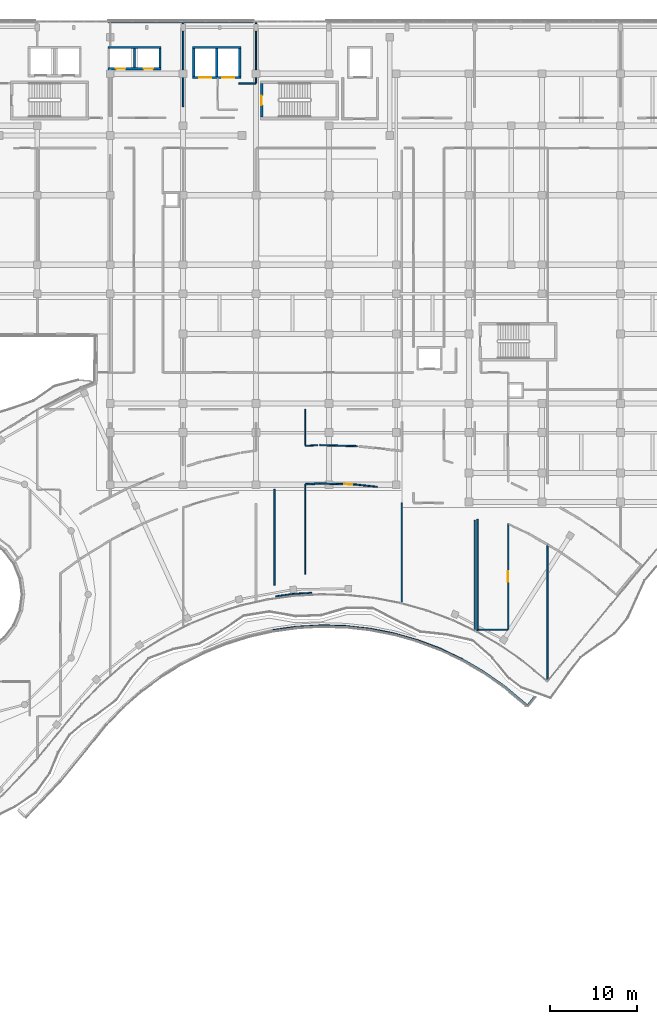
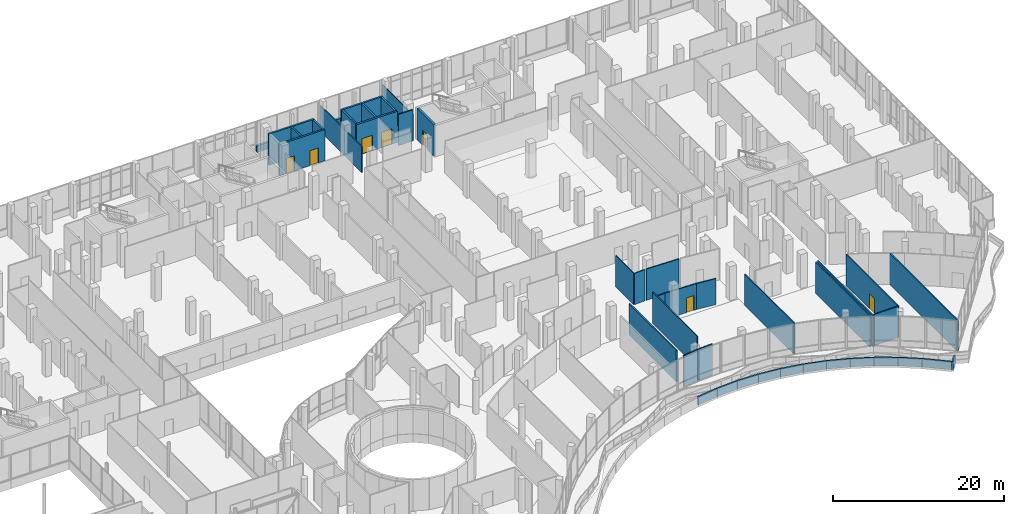
# One storey, part 149 of 168: 43 walls, 7 doors, 7 openings.
"""IFC4 building model written with IfcOpenShell, lengths in metres."""

from ifc_helpers import new_model, si_unit, direction, frame, frame_2d, origin, place, context, subcontext, project, spatial, rectangle, extrude, material, layer, layer_set, type_object, element, fill, save


model = new_model("IFC4")

# Units and contexts
model_context = context("Model", 3, precision=1e-05, world=origin(), true_north=direction((0.0, 1.0)))
body_context = subcontext(model_context, "Body", "Model", "MODEL_VIEW")
ifc_project = project(units=[si_unit("LENGTHUNIT", "METRE"), si_unit("AREAUNIT", "SQUARE_METRE"), si_unit("VOLUMEUNIT", "CUBIC_METRE"), si_unit("PLANEANGLEUNIT", "RADIAN"), si_unit("MASSUNIT", "GRAM", prefix="KILO")], contexts=[model_context])

# Site, building, storey
site_placement = place(None, origin())
site = spatial("IfcSite", under=ifc_project, at=site_placement, CompositionType="ELEMENT")
building_placement = place(site_placement, origin())
building = spatial("IfcBuilding", under=site, at=building_placement, Name="Selatvlak General Hospital", CompositionType="ELEMENT")
storey_placement = place(building_placement, frame((0.0, 0.0, 5.39990234375)))
storey = spatial("IfcBuildingStorey", under=building, at=storey_placement, Name="L01", CompositionType="ELEMENT", Elevation=5.39990234375)

# Walls
ifc_material_1 = material(Name="Precast concrete C40/50 - white Bauhaus spandrel", Category="concrete")
ifc_layer_1 = layer(ifc_material_1, 0.280029296875, Name="Precast concrete C40/50 - white Bauhaus spandrel", Category="concrete")
ifc_layer_set_1 = layer_set([ifc_layer_1], Name="Precast concrete C40/50 - white Bauhaus spandrel")
wall_type_1 = type_object("IfcWallType", Name="WALL-EW-02", PredefinedType="SOLIDWALL", material=ifc_layer_set_1)
for number, where, z_axis, x_axis, name in (
    (1, (114.9609375, 120.0, 0.0), (0.0, 0.0, 1.0), (1.0, 0.0, 0.0), "L01 Bauhaus spandrel sill wall 0215"),
    (2, (123.341064453125, 120.0, 0.0), (0.0, 0.0, 1.0), (1.0, 0.0, 0.0), "L01 Bauhaus spandrel sill wall 0216"),
):
    element("IfcWall", number, at=place(storey_placement, frame(where, z_axis=z_axis, x_axis=x_axis)), inside=storey, type_object=wall_type_1, Name=name, PredefinedType="SOLIDWALL", context=body_context, shape_type="SweptSolid", body=[
        extrude(rectangle(XDim=8.3759765625, YDim=0.280029296875, at=frame_2d((4.18798828125, 0.0))), origin(), (0.0, 0.0, 1.0), 0.940185546875),
    ])
ifc_material_2 = material(Name="Precast concrete C40/50 - white fair-faced", Category="concrete")
ifc_layer_2 = layer(ifc_material_2, 0.199951171875, Name="Precast concrete C40/50 - white fair-faced", Category="concrete")
ifc_layer_set_2 = layer_set([ifc_layer_2], Name="Precast concrete C40/50 - white fair-faced")
wall_type_2 = type_object("IfcWallType", Name="WALL-PR-01", PredefinedType="PARAPET", material=ifc_layer_set_2)
wall_1_placement = place(storey_placement, frame((160.51708984375, 43.487060546875, -0.079833984375), z_axis=(0.0, 0.0, 1.0), x_axis=(-0.820802595538, 0.571211956421, 0.0)))
element("IfcWall", 3, at=wall_1_placement, inside=storey, type_object=wall_type_2, Name="L01 roof parapet upstand PAR-L01-005", PredefinedType="PARAPET", context=body_context, shape_type="SweptSolid", body=[
    extrude(rectangle(XDim=2.813232421875, YDim=0.199951171875, at=frame_2d((1.40673828125, 0.0))), origin(), (0.0, 0.0, 1.0), 1.14990234375),
])
wall_2_placement = place(storey_placement, frame((155.77294921875, 46.507080078125, -0.079833984375), z_axis=(0.0, 0.0, 1.0), x_axis=(-0.903700736415, 0.428164663422, 0.0)))
element("IfcWall", 4, at=wall_2_placement, inside=storey, type_object=wall_type_2, Name="L01 roof parapet upstand PAR-L01-007", PredefinedType="PARAPET", context=body_context, shape_type="SweptSolid", body=[
    extrude(rectangle(XDim=2.81396484375, YDim=0.199951171875, at=frame_2d((1.406982421875, 0.0))), origin(), (0.0, 0.0, 1.0), 1.14990234375),
])
wall_3_placement = place(storey_placement, frame((150.597900390625, 48.700927734375, -0.079833984375), z_axis=(0.0, 0.0, 1.0), x_axis=(-0.961968291007, 0.273161137603, 0.0)))
element("IfcWall", 5, at=wall_3_placement, inside=storey, type_object=wall_type_2, Name="L01 roof parapet upstand PAR-L01-009", PredefinedType="PARAPET", context=body_context, shape_type="SweptSolid", body=[
    extrude(rectangle(XDim=2.811767578125, YDim=0.199951171875, at=frame_2d((1.40576171875, 0.0))), origin(), (0.0, 0.0, 1.0), 1.14990234375),
])
wall_4_placement = place(storey_placement, frame((145.131103515625, 50.009033203125, -0.079833984375), z_axis=(0.0, 0.0, 1.0), x_axis=(-0.993916475876, 0.110136456187, 0.0)))
element("IfcWall", 6, at=wall_4_placement, inside=storey, type_object=wall_type_2, Name="L01 roof parapet upstand PAR-L01-011", PredefinedType="PARAPET", context=body_context, shape_type="SweptSolid", body=[
    extrude(rectangle(XDim=2.815185546875, YDim=0.199951171875, at=frame_2d((1.40771484375, 0.0))), origin(), (0.0, 0.0, 1.0), 1.14990234375),
])
wall_5_placement = place(storey_placement, frame((139.52001953125, 50.39697265625, -0.079833984375), z_axis=(0.0, 0.0, 1.0), x_axis=(-0.998457946489, -0.055513323571, 0.0)))
element("IfcWall", 7, at=wall_5_placement, inside=storey, type_object=wall_type_2, Name="L01 roof parapet upstand PAR-L01-013", PredefinedType="PARAPET", context=body_context, shape_type="SweptSolid", body=[
    extrude(rectangle(XDim=2.810302734375, YDim=0.199951171875, at=frame_2d((1.4052734375, 0.0))), origin(), (0.0, 0.0, 1.0), 1.14990234375),
])
wall_6_placement = place(storey_placement, frame((164.1240234375, 42.22509765625, -0.079833984375), z_axis=(0.0, 0.0, 1.0), x_axis=(-0.637753411451, -0.770240602788, 0.0)))
element("IfcWall", 8, at=wall_6_placement, inside=storey, type_object=wall_type_2, Name="L01 roof parapet upstand PAR-L01-027", PredefinedType="PARAPET", context=body_context, shape_type="SweptSolid", body=[
    extrude(rectangle(XDim=1.34521484375, YDim=0.199951171875, at=frame_2d((0.672607421875, 0.0))), origin(), (0.0, 0.0, 1.0), 1.14990234375),
])
ifc_layer_3 = layer(ifc_material_2, 0.219970703125, Name="Precast concrete C40/50 - white fair-faced", Category="concrete")
ifc_layer_set_3 = layer_set([ifc_layer_3], Name="Precast concrete C40/50 - white fair-faced")
wall_type_3 = type_object("IfcWallType", Name="WALL-PR-02", PredefinedType="PARAPET", material=ifc_layer_set_3)
wall_7_placement = place(storey_placement, frame((158.2080078125, 45.093994140625, -0.079833984375), z_axis=(0.0, 0.0, 1.0), x_axis=(-0.864915249361, 0.501917932956, 0.0)))
element("IfcWall", 9, at=wall_7_placement, inside=storey, type_object=wall_type_3, Name="L01 roof parapet upstand PAR-L01-006", PredefinedType="PARAPET", context=body_context, shape_type="SweptSolid", body=[
    extrude(rectangle(XDim=2.8154296875, YDim=0.219970703125, at=frame_2d((1.40771484375, 0.0))), origin(), (0.0, 0.0, 1.0), 1.14990234375),
])
wall_8_placement = place(storey_placement, frame((153.22998046875, 47.7119140625, -0.079833984375), z_axis=(0.0, 0.0, 1.0), x_axis=(-0.936097034399, 0.35174186869, 0.0)))
element("IfcWall", 10, at=wall_8_placement, inside=storey, type_object=wall_type_3, Name="L01 roof parapet upstand PAR-L01-008", PredefinedType="PARAPET", context=body_context, shape_type="SweptSolid", body=[
    extrude(rectangle(XDim=2.811767578125, YDim=0.219970703125, at=frame_2d((1.40576171875, 0.0))), origin(), (0.0, 0.0, 1.0), 1.14990234375),
])
wall_9_placement = place(storey_placement, frame((147.89306640625, 49.468994140625, -0.079833984375), z_axis=(0.0, 0.0, 1.0), x_axis=(-0.981415747177, 0.191893541302, 0.0)))
element("IfcWall", 11, at=wall_9_placement, inside=storey, type_object=wall_type_3, Name="L01 roof parapet upstand PAR-L01-010", PredefinedType="PARAPET", context=body_context, shape_type="SweptSolid", body=[
    extrude(rectangle(XDim=2.814208984375, YDim=0.219970703125, at=frame_2d((1.4072265625, 0.0))), origin(), (0.0, 0.0, 1.0), 1.14990234375),
])
wall_10_placement = place(storey_placement, frame((142.3330078125, 50.319091796875, -0.079833984375), z_axis=(0.0, 0.0, 1.0), x_axis=(-0.999616958311, 0.027675560641, 0.0)))
element("IfcWall", 12, at=wall_10_placement, inside=storey, type_object=wall_type_3, Name="L01 roof parapet upstand PAR-L01-012", PredefinedType="PARAPET", context=body_context, shape_type="SweptSolid", body=[
    extrude(rectangle(XDim=2.81396484375, YDim=0.219970703125, at=frame_2d((1.406982421875, 0.0))), origin(), (0.0, 0.0, 1.0), 1.14990234375),
])
wall_11_placement = place(storey_placement, frame((136.714111328125, 50.240966796875, -0.079833984375), z_axis=(0.0, 0.0, 1.0), x_axis=(-0.990363168636, -0.138494744336, 0.0)))
element("IfcWall", 13, at=wall_11_placement, inside=storey, type_object=wall_type_3, Name="L01 roof parapet upstand PAR-L01-014", PredefinedType="PARAPET", context=body_context, shape_type="SweptSolid", body=[
    extrude(rectangle(XDim=2.815185546875, YDim=0.219970703125, at=frame_2d((1.40771484375, 0.0))), origin(), (0.0, 0.0, 1.0), 1.14990234375),
])
wall_12_placement = place(storey_placement, frame((163.18310546875, 41.258056640625, -0.079833984375), z_axis=(0.0, 0.0, 1.0), x_axis=(-0.76718372461, 0.641427418103, 0.0)))
element("IfcWall", 14, at=wall_12_placement, inside=storey, type_object=wall_type_3, Name="L01 roof parapet upstand PAR-L01-028", PredefinedType="PARAPET", context=body_context, shape_type="SweptSolid", body=[
    extrude(rectangle(XDim=3.47509765625, YDim=0.219970703125, at=frame_2d((1.737548828125, 0.0))), origin(), (0.0, 0.0, 1.0), 1.14990234375),
])
ifc_material_3 = material(Name="Acoustic gypsum stud partition")
ifc_layer_4 = layer(ifc_material_3, 0.179931640625, Name="Acoustic gypsum stud partition")
ifc_layer_set_4 = layer_set([ifc_layer_4], Name="Acoustic gypsum stud partition")
wall_type_4 = type_object("IfcWallType", Name="WALL-PT-01", PredefinedType="PARTITIONING", material=ifc_layer_set_4)
wall_13_placement = place(storey_placement, frame((137.659912109375, 66.693115234375, 0.0), z_axis=(0.0, 0.0, 1.0), x_axis=(0.998484643385, 0.055031054181, 0.0)))
element("IfcWall", 15, at=wall_13_placement, inside=storey, type_object=wall_type_4, Name="L01 clinical partition PT-L01-0875", PredefinedType="PARTITIONING", context=body_context, shape_type="SweptSolid", body=[
    extrude(rectangle(XDim=1.632568359375, YDim=0.179931640625, at=frame_2d((0.81640625, 0.0))), origin(), (0.0, 0.0, 1.0), 3.695068359375),
])
wall_14_placement = place(storey_placement, frame((131.944091796875, 112.89990234375, 0.0), z_axis=(0.0, 0.0, 1.0), x_axis=(-1.0, 0.0, 0.0)))
element("IfcWall", 16, at=wall_14_placement, inside=storey, type_object=wall_type_4, Name="L01 clinical partition PT-L01-1020", PredefinedType="PARTITIONING", context=body_context, shape_type="SweptSolid", body=[
    extrude(rectangle(XDim=1.93408203125, YDim=0.179931640625, at=frame_2d((0.967041015625, 0.0))), origin(), (0.0, 0.0, 1.0), 4.445068359375),
])
ifc_layer_5 = layer(ifc_material_3, 0.1650390625, Name="Acoustic gypsum stud partition")
ifc_layer_set_5 = layer_set([ifc_layer_5], Name="Acoustic gypsum stud partition")
wall_type_5 = type_object("IfcWallType", Name="WALL-PT-02", PredefinedType="PARTITIONING", material=ifc_layer_set_5)
wall_15_placement = place(storey_placement, frame((134.139892578125, 66.10888671875, 0.0), z_axis=(0.0, 0.0, 1.0), x_axis=(0.0, -1.0, 0.0)))
element("IfcWall", 17, at=wall_15_placement, inside=storey, type_object=wall_type_5, Name="L01 clinical partition PT-L01-0871", PredefinedType="PARTITIONING", context=body_context, shape_type="SweptSolid", body=[
    extrude(rectangle(XDim=11.0458984375, YDim=0.1650390625, at=frame_2d((5.52294921875, 0.0))), origin(), (0.0, 0.0, 1.0), 4.445068359375),
])

# Wall, opening, door
wall_16_placement = place(storey_placement, frame((139.2900390625, 66.782958984375, 0.0), z_axis=(0.0, 0.0, 1.0), x_axis=(0.999620528825, -0.027546294704, 0.0)))
wall_16 = element("IfcWall", 18, at=wall_16_placement, inside=storey, type_object=wall_type_5, Name="L01 clinical partition PT-L01-0876", PredefinedType="PARTITIONING", context=body_context, shape_type="SweptSolid", body=[
    extrude(rectangle(XDim=4.17431640625, YDim=0.1650390625, at=frame_2d((2.087158203125, 0.0))), origin(), (0.0, 0.0, 1.0), 3.695068359375),
])
opening_1_placement = place(wall_16_placement, frame((2.864990234375, 0.0, 0.0)))
opening_1 = element("IfcOpeningElement", 19, at=opening_1_placement, cuts=wall_16, Name="Opening D-02", PredefinedType="OPENING", context=body_context, shape_type="SweptSolid", body=[
    extrude(rectangle(XDim=0.949951171875, YDim=2.10009765625, at=frame_2d((0.47509765625, 1.050048828125))), frame((0.0, 0.092529296875, 0.0), z_axis=(0.0, -1.0, 0.0), x_axis=(1.0, 0.0, 0.0)), (0.0, 0.0, 1.0), 0.18505859375),
])
ifc_material_4 = material(Name="Moisture-resistant en-suite door")
door_type_1 = type_object("IfcDoorType", Name="DOOR-D-02", OperationType="NOTDEFINED", PredefinedType="DOOR", material=ifc_material_4)
door_1_placement = place(opening_1_placement, origin())
door_1 = element("IfcDoor", 20, at=door_1_placement, inside=storey, type_object=door_type_1, Name="L01 Adult Intensive Care Unit Bay 33 door", OperationType="SINGLE_SWING_LEFT", OverallHeight=2.10009765625, OverallWidth=0.949951171875, PredefinedType="DOOR", context=body_context, shape_type="SweptSolid", body=[
    extrude(rectangle(XDim=0.949951171875, YDim=2.10009765625, at=frame_2d((0.47509765625, 1.050048828125))), frame((0.0, 0.02490234375, 0.0), z_axis=(0.0, -1.0, 0.0), x_axis=(1.0, 0.0, 0.0)), (0.0, 0.0, 1.0), 0.050048828125),
])
fill(opening_1, door_1)

# Walls
wall_17_placement = place(storey_placement, frame((157.5400390625, 62.676025390625, 0.0), z_axis=(0.0, 0.0, 1.0), x_axis=(0.0, -1.0, 0.0)))
element("IfcWall", 21, at=wall_17_placement, inside=storey, type_object=wall_type_5, Name="L01 clinical partition PT-L01-0891", PredefinedType="PARTITIONING", context=body_context, shape_type="SweptSolid", body=[
    extrude(rectangle(XDim=13.02294921875, YDim=0.1650390625, at=frame_2d((6.511474609375, 0.0))), origin(), (0.0, 0.0, 1.0), 4.445068359375),
])
wall_18_placement = place(storey_placement, frame((165.60009765625, 59.736083984375, 0.0), z_axis=(0.0, 0.0, 1.0), x_axis=(0.0, -1.0, 0.0)))
element("IfcWall", 22, at=wall_18_placement, inside=storey, type_object=wall_type_5, Name="L01 clinical partition PT-L01-0896", PredefinedType="PARTITIONING", context=body_context, shape_type="SweptSolid", body=[
    extrude(rectangle(XDim=15.710205078125, YDim=0.1650390625, at=frame_2d((7.85498046875, 0.0))), origin(), (0.0, 0.0, 1.0), 4.445068359375),
])
ifc_layer_6 = layer(ifc_material_3, 0.14990234375, Name="Acoustic gypsum stud partition")
ifc_layer_set_6 = layer_set([ifc_layer_6], Name="Acoustic gypsum stud partition")
wall_type_6 = type_object("IfcWallType", Name="WALL-PT-03", PredefinedType="PARTITIONING", material=ifc_layer_set_6)
wall_19_placement = place(storey_placement, frame((134.282958984375, 53.77490234375, 0.0), z_axis=(0.0, 0.0, 1.0), x_axis=(0.990372536163, 0.138427741489, 0.0)))
element("IfcWall", 23, at=wall_19_placement, inside=storey, type_object=wall_type_6, Name="L01 clinical partition PT-L01-0872", PredefinedType="PARTITIONING", context=body_context, shape_type="SweptSolid", body=[
    extrude(rectangle(XDim=2.067138671875, YDim=0.14990234375, at=frame_2d((1.03369140625, 0.0))), origin(), (0.0, 0.0, 1.0), 4.445068359375),
])
wall_20_placement = place(storey_placement, frame((143.462890625, 66.66796875, 0.0), z_axis=(0.0, 0.0, 1.0), x_axis=(0.993938191899, -0.109940305095, 0.0)))
element("IfcWall", 24, at=wall_20_placement, inside=storey, type_object=wall_type_6, Name="L01 clinical partition PT-L01-0877", PredefinedType="PARTITIONING", context=body_context, shape_type="SweptSolid", body=[
    extrude(rectangle(XDim=2.50927734375, YDim=0.14990234375, at=frame_2d((1.254638671875, 0.0))), origin(), (0.0, 0.0, 1.0), 3.695068359375),
])
wall_21_placement = place(storey_placement, frame((143.676025390625, 71.083984375, 0.0), z_axis=(0.0, 0.0, 1.0), x_axis=(-0.999620015792, 0.027564905715, 0.0)))
element("IfcWall", 25, at=wall_21_placement, inside=storey, type_object=wall_type_6, Name="L01 clinical partition PT-L01-0882", PredefinedType="PARTITIONING", context=body_context, shape_type="SweptSolid", body=[
    extrude(rectangle(XDim=4.357666015625, YDim=0.14990234375, at=frame_2d((2.1787109375, 0.0))), origin(), (0.0, 0.0, 1.0), 4.445068359375),
])
wall_22_placement = place(storey_placement, frame((157.199951171875, 62.5380859375, 0.0), z_axis=(0.0, 0.0, 1.0), x_axis=(0.0, -1.0, 0.0)))
element("IfcWall", 26, at=wall_22_placement, inside=storey, type_object=wall_type_6, Name="L01 clinical partition PT-L01-0887", PredefinedType="PARTITIONING", context=body_context, shape_type="SweptSolid", body=[
    extrude(rectangle(XDim=12.715087890625, YDim=0.14990234375, at=frame_2d((6.357421875, 0.0))), origin(), (0.0, 0.0, 1.0), 4.445068359375),
])
wall_23_placement = place(storey_placement, frame((157.617919921875, 49.93994140625, 0.0), z_axis=(0.0, 0.0, 1.0), x_axis=(1.0, 0.0, 0.0)))
element("IfcWall", 27, at=wall_23_placement, inside=storey, type_object=wall_type_6, Name="L01 clinical partition PT-L01-0892", PredefinedType="PARTITIONING", context=body_context, shape_type="SweptSolid", body=[
    extrude(rectangle(XDim=3.382080078125, YDim=0.14990234375, at=frame_2d((1.69091796875, 0.0))), origin(), (0.0, 0.0, 1.0), 4.445068359375),
])
wall_24_placement = place(storey_placement, frame((123.60009765625, 119.9580078125, 0.0), z_axis=(0.0, 0.0, 1.0), x_axis=(0.0, -1.0, 0.0)))
element("IfcWall", 28, at=wall_24_placement, inside=storey, type_object=wall_type_6, Name="L01 clinical partition PT-L01-1017", PredefinedType="PARTITIONING", context=body_context, shape_type="SweptSolid", body=[
    extrude(rectangle(XDim=9.748046875, YDim=0.14990234375, at=frame_2d((4.8740234375, 0.0))), origin(), (0.0, 0.0, 1.0), 3.695068359375),
])
ifc_material_5 = material(Name="Moisture-resistant clinical partition")
ifc_layer_7 = layer(ifc_material_5, 0.135009765625, Name="Moisture-resistant clinical partition")
ifc_layer_set_7 = layer_set([ifc_layer_7], Name="Moisture-resistant clinical partition")
wall_type_7 = type_object("IfcWallType", Name="WALL-PT-04", PredefinedType="PARTITIONING", material=ifc_layer_set_7)
wall_25_placement = place(storey_placement, frame((136.35302734375, 54.06396484375, 0.0), z_axis=(0.0, 0.0, 1.0), x_axis=(0.998477747352, 0.055156033595, 0.0)))
element("IfcWall", 29, at=wall_25_placement, inside=storey, type_object=wall_type_7, Name="L01 clinical partition PT-L01-0873", PredefinedType="PARTITIONING", context=body_context, shape_type="SweptSolid", body=[
    extrude(rectangle(XDim=2.067138671875, YDim=0.135009765625, at=frame_2d((1.03369140625, 0.0))), origin(), (0.0, 0.0, 1.0), 4.445068359375),
])
wall_26_placement = place(storey_placement, frame((148.800048828125, 64.5380859375, 0.0), z_axis=(0.0, 0.0, 1.0), x_axis=(0.0, -1.0, 0.0)))
element("IfcWall", 30, at=wall_26_placement, inside=storey, type_object=wall_type_7, Name="L01 clinical partition PT-L01-0878", PredefinedType="PARTITIONING", context=body_context, shape_type="SweptSolid", body=[
    extrude(rectangle(XDim=11.5771484375, YDim=0.135009765625, at=frame_2d((5.78857421875, 0.0))), origin(), (0.0, 0.0, 1.0), 4.445068359375),
])
wall_27_placement = place(storey_placement, frame((139.135986328125, 71.201904296875, 0.0), z_axis=(0.0, 0.0, 1.0), x_axis=(-0.998422523232, -0.056146817383, 0.0)))
element("IfcWall", 31, at=wall_27_placement, inside=storey, type_object=wall_type_7, Name="L01 clinical partition PT-L01-0883", PredefinedType="PARTITIONING", context=body_context, shape_type="SweptSolid", body=[
    extrude(rectangle(XDim=1.478515625, YDim=0.135009765625, at=frame_2d((0.7392578125, 0.0))), origin(), (0.0, 0.0, 1.0), 4.445068359375),
])

# Wall, opening, door
wall_28_placement = place(storey_placement, frame((161.06005859375, 50.0, 0.0), z_axis=(0.0, 0.0, 1.0), x_axis=(0.0, 1.0, 0.0)))
wall_28 = element("IfcWall", 32, at=wall_28_placement, inside=storey, type_object=wall_type_7, Name="L01 clinical partition PT-L01-0893", PredefinedType="PARTITIONING", context=body_context, shape_type="SweptSolid", body=[
    extrude(rectangle(XDim=12.12109375, YDim=0.135009765625, at=frame_2d((6.060546875, 0.0))), origin(), (0.0, 0.0, 1.0), 4.445068359375),
])
opening_2_placement = place(wall_28_placement, frame((5.4609375, 0.0, 0.0)))
opening_2 = element("IfcOpeningElement", 33, at=opening_2_placement, cuts=wall_28, Name="Opening D-07", PredefinedType="OPENING", context=body_context, shape_type="SweptSolid", body=[
    extrude(rectangle(XDim=1.199951171875, YDim=2.14990234375, at=frame_2d((0.60009765625, 1.074951171875))), frame((0.0, 0.077392578125, 0.0), z_axis=(0.0, -1.0, 0.0), x_axis=(1.0, 0.0, 0.0)), (0.0, 0.0, 1.0), 0.155029296875),
])
ifc_material_6 = material(Name="Plant and store fire door")
door_type_2 = type_object("IfcDoorType", Name="DOOR-D-07", OperationType="NOTDEFINED", PredefinedType="DOOR", material=ifc_material_6)
door_2_placement = place(opening_2_placement, origin())
door_2 = element("IfcDoor", 34, at=door_2_placement, inside=storey, type_object=door_type_2, Name="L01 Adult Intensive Care Unit Bay 37 door", OperationType="SINGLE_SWING_LEFT", OverallHeight=2.14990234375, OverallWidth=1.199951171875, PredefinedType="DOOR", context=body_context, shape_type="SweptSolid", body=[
    extrude(rectangle(XDim=1.199951171875, YDim=2.14990234375, at=frame_2d((0.60009765625, 1.074951171875))), frame((0.0, 0.02490234375, 0.0), z_axis=(0.0, -1.0, 0.0), x_axis=(1.0, 0.0, 0.0)), (0.0, 0.0, 1.0), 0.050048828125),
])
fill(opening_2, door_2)

# Walls
ifc_layer_8 = layer(ifc_material_5, 0.1201171875, Name="Moisture-resistant clinical partition")
ifc_layer_set_8 = layer_set([ifc_layer_8], Name="Moisture-resistant clinical partition")
wall_type_8 = type_object("IfcWallType", Name="WALL-PT-05", PredefinedType="PARTITIONING", material=ifc_layer_set_8)
wall_29_placement = place(storey_placement, frame((137.659912109375, 56.303955078125, 0.0), z_axis=(0.0, 0.0, 1.0), x_axis=(0.0, 1.0, 0.0)))
element("IfcWall", 35, at=wall_29_placement, inside=storey, type_object=wall_type_8, Name="L01 clinical partition PT-L01-0874", PredefinedType="PARTITIONING", context=body_context, shape_type="SweptSolid", body=[
    extrude(rectangle(XDim=10.38916015625, YDim=0.1201171875, at=frame_2d((5.194580078125, 0.0))), origin(), (0.0, 0.0, 1.0), 4.445068359375),
])
wall_30_placement = place(storey_placement, frame((137.659912109375, 71.18310546875, 0.0), z_axis=(0.0, 0.0, 1.0), x_axis=(0.0, 1.0, 0.0)))
element("IfcWall", 36, at=wall_30_placement, inside=storey, type_object=wall_type_8, Name="L01 clinical partition PT-L01-0884", PredefinedType="PARTITIONING", context=body_context, shape_type="SweptSolid", body=[
    extrude(rectangle(XDim=4.156982421875, YDim=0.1201171875, at=frame_2d((2.07861328125, 0.0))), origin(), (0.0, 0.0, 1.0), 4.445068359375),
])
wall_31_placement = place(storey_placement, frame((132.0, 119.989013671875, 0.0), z_axis=(0.0, 0.0, 1.0), x_axis=(0.0, -1.0, 0.0)))
element("IfcWall", 37, at=wall_31_placement, inside=storey, type_object=wall_type_8, Name="L01 clinical partition PT-L01-1019", PredefinedType="PARTITIONING", context=body_context, shape_type="SweptSolid", body=[
    extrude(rectangle(XDim=7.089111328125, YDim=0.1201171875, at=frame_2d((3.54443359375, 0.0))), origin(), (0.0, 0.0, 1.0), 3.695068359375),
])

# Wall, opening, door
ifc_material_7 = material(Name="Concrete C45/55", Category="concrete")
ifc_layer_9 = layer(ifc_material_7, 0.300048828125, Name="Concrete C45/55", Category="concrete")
ifc_layer_set_9 = layer_set([ifc_layer_9], Name="Concrete C45/55")
wall_type_9 = type_object("IfcWallType", Name="WALL-SW-02", PredefinedType="SHEAR", material=ifc_layer_set_9)
wall_32_placement = place(storey_placement, frame((132.639892578125, 112.85009765625, 0.0), z_axis=(0.0, 0.0, 1.0), x_axis=(0.0, -1.0, 0.0)))
wall_32 = element("IfcWall", 38, at=wall_32_placement, inside=storey, type_object=wall_type_9, Name="ST-04 core shear wall L01 W", PredefinedType="SHEAR", context=body_context, shape_type="SweptSolid", body=[
    extrude(rectangle(XDim=3.860107421875, YDim=0.300048828125, at=frame_2d((1.93017578125, 0.0))), origin(), (0.0, 0.0, 1.0), 4.445068359375),
])
opening_3_placement = place(wall_32_placement, frame((1.3798828125, 0.0, 0.0)))
opening_3 = element("IfcOpeningElement", 39, at=opening_3_placement, cuts=wall_32, Name="Opening D-05", PredefinedType="OPENING", context=body_context, shape_type="SweptSolid", body=[
    extrude(rectangle(XDim=1.10009765625, YDim=2.14990234375, at=frame_2d((0.550048828125, 1.074951171875))), frame((0.0, 0.159912109375, 0.0), z_axis=(0.0, -1.0, 0.0), x_axis=(1.0, 0.0, 0.0)), (0.0, 0.0, 1.0), 0.320068359375),
])
ifc_material_8 = material(Name="Protected stair fire door")
door_type_3 = type_object("IfcDoorType", Name="DOOR-D-05", OperationType="NOTDEFINED", PredefinedType="DOOR", material=ifc_material_8)
door_3_placement = place(opening_3_placement, origin())
door_3 = element("IfcDoor", 40, at=door_3_placement, inside=storey, type_object=door_type_3, Name="ST-04 protected stair door on L01", OperationType="SINGLE_SWING_RIGHT", OverallHeight=2.14990234375, OverallWidth=1.10009765625, PredefinedType="DOOR", context=body_context, shape_type="SweptSolid", body=[
    extrude(rectangle(XDim=1.10009765625, YDim=2.14990234375, at=frame_2d((0.550048828125, 1.074951171875))), frame((0.0, 0.02490234375, 0.0), z_axis=(0.0, -1.0, 0.0), x_axis=(1.0, 0.0, 0.0)), (0.0, 0.0, 1.0), 0.050048828125),
])
fill(opening_3, door_3)

# Wall, openings, doors
ifc_material_9 = material(Name="Concrete C40/50", Category="concrete")
ifc_layer_10 = layer(ifc_material_9, 0.25, Name="Concrete C40/50", Category="concrete")
ifc_layer_set_10 = layer_set([ifc_layer_10], Name="Concrete C40/50")
wall_type_10 = type_object("IfcWallType", Name="WALL-SW-03", PredefinedType="SHEAR", material=ifc_layer_set_10)
wall_33_placement = place(storey_placement, frame((124.699951171875, 113.574951171875, 0.0), z_axis=(0.0, 0.0, 1.0), x_axis=(1.0, 0.0, 0.0)))
wall_33 = element("IfcWall", 41, at=wall_33_placement, inside=storey, type_object=wall_type_10, Name="Lift LB-03-LB-04 shaft wall L01 S", PredefinedType="SHEAR", context=body_context, shape_type="SweptSolid", body=[
    extrude(rectangle(XDim=5.550048828125, YDim=0.25, at=frame_2d((2.77490234375, 0.0))), origin(), (0.0, 0.0, 1.0), 4.445068359375),
])
opening_4_placement = place(wall_33_placement, frame((0.75, 0.0, 0.0)))
opening_4 = element("IfcOpeningElement", 42, at=opening_4_placement, cuts=wall_33, Name="Opening LD-B1", PredefinedType="OPENING", context=body_context, shape_type="SweptSolid", body=[
    extrude(rectangle(XDim=1.39990234375, YDim=2.199951171875, at=frame_2d((0.699951171875, 1.10009765625))), frame((0.0, 0.135009765625, 0.0), z_axis=(0.0, -1.0, 0.0), x_axis=(1.0, 0.0, 0.0)), (0.0, 0.0, 1.0), 0.27001953125),
])
opening_5_placement = place(wall_33_placement, frame((3.39990234375, 0.0, 0.0)))
opening_5 = element("IfcOpeningElement", 43, at=opening_5_placement, cuts=wall_33, Name="Opening LD-B1", PredefinedType="OPENING", context=body_context, shape_type="SweptSolid", body=[
    extrude(rectangle(XDim=1.39990234375, YDim=2.199951171875, at=frame_2d((0.699951171875, 1.10009765625))), frame((0.0, 0.135009765625, 0.0), z_axis=(0.0, -1.0, 0.0), x_axis=(1.0, 0.0, 0.0)), (0.0, 0.0, 1.0), 0.27001953125),
])
ifc_material_10 = material(Name="Stainless steel stretcher lift landing door", Category="steel")
door_type_4 = type_object("IfcDoorType", Name="DOOR-LD-B1", OperationType="DOUBLE_DOOR_SLIDING", PredefinedType="DOOR", material=ifc_material_10)
door_4_placement = place(opening_4_placement, origin())
door_4 = element("IfcDoor", 44, at=door_4_placement, inside=storey, type_object=door_type_4, Name="Lift LB-03 sliding landing door on L01", OperationType="DOUBLE_DOOR_SLIDING", OverallHeight=2.199951171875, OverallWidth=1.39990234375, PredefinedType="DOOR", context=body_context, shape_type="SweptSolid", body=[
    extrude(rectangle(XDim=1.39990234375, YDim=2.199951171875, at=frame_2d((0.699951171875, 1.10009765625))), frame((0.0, 0.02490234375, 0.0), z_axis=(0.0, -1.0, 0.0), x_axis=(1.0, 0.0, 0.0)), (0.0, 0.0, 1.0), 0.050048828125),
])
fill(opening_4, door_4)
door_5_placement = place(opening_5_placement, origin())
door_5 = element("IfcDoor", 45, at=door_5_placement, inside=storey, type_object=door_type_4, Name="Lift LB-04 sliding landing door on L01", OperationType="DOUBLE_DOOR_SLIDING", OverallHeight=2.199951171875, OverallWidth=1.39990234375, PredefinedType="DOOR", context=body_context, shape_type="SweptSolid", body=[
    extrude(rectangle(XDim=1.39990234375, YDim=2.199951171875, at=frame_2d((0.699951171875, 1.10009765625))), frame((0.0, 0.02490234375, 0.0), z_axis=(0.0, -1.0, 0.0), x_axis=(1.0, 0.0, 0.0)), (0.0, 0.0, 1.0), 0.050048828125),
])
fill(opening_5, door_5)

# Walls
wall_34_placement = place(storey_placement, frame((130.125, 113.699951171875, 0.0), z_axis=(0.0, 0.0, 1.0), x_axis=(0.0, 1.0, 0.0)))
element("IfcWall", 46, at=wall_34_placement, inside=storey, type_object=wall_type_10, Name="Lift LB-03-LB-04 shaft wall L01 E", PredefinedType="SHEAR", context=body_context, shape_type="SweptSolid", body=[
    extrude(rectangle(XDim=3.199951171875, YDim=0.25, at=frame_2d((1.60009765625, 0.0))), origin(), (0.0, 0.0, 1.0), 4.445068359375),
])
wall_35_placement = place(storey_placement, frame((130.25, 117.02490234375, 0.0), z_axis=(0.0, 0.0, 1.0), x_axis=(-1.0, 0.0, 0.0)))
element("IfcWall", 47, at=wall_35_placement, inside=storey, type_object=wall_type_10, Name="Lift LB-03-LB-04 shaft wall L01 N", PredefinedType="SHEAR", context=body_context, shape_type="SweptSolid", body=[
    extrude(rectangle(XDim=5.550048828125, YDim=0.25, at=frame_2d((2.77490234375, 0.0))), origin(), (0.0, 0.0, 1.0), 4.445068359375),
])
for number, where, z_axis, x_axis, name in (
    (48, (124.824951171875, 116.89990234375, 0.0), (0.0, 0.0, 1.0), (0.0, -1.0, 0.0), "Lift LB-03-LB-04 shaft wall L01 W"),
    (49, (127.47509765625, 113.699951171875, 0.0), (0.0, 0.0, 1.0), (0.0, 1.0, 0.0), "Lift LB-03-LB-04 dividing shaft wall L01"),
):
    element("IfcWall", number, at=place(storey_placement, frame(where, z_axis=z_axis, x_axis=x_axis)), inside=storey, type_object=wall_type_10, Name=name, PredefinedType="SHEAR", context=body_context, shape_type="SweptSolid", body=[
        extrude(rectangle(XDim=3.199951171875, YDim=0.25, at=frame_2d((1.60009765625, 0.0))), origin(), (0.0, 0.0, 1.0), 4.445068359375),
    ])

# Wall, openings, doors
wall_36_placement = place(storey_placement, frame((114.949951171875, 114.574951171875, 0.0), z_axis=(0.0, 0.0, 1.0), x_axis=(1.0, 0.0, 0.0)))
wall_36 = element("IfcWall", 50, at=wall_36_placement, inside=storey, type_object=wall_type_10, Name="Lift LP-05-LP-06 shaft wall L01 S", PredefinedType="SHEAR", context=body_context, shape_type="SweptSolid", body=[
    extrude(rectangle(XDim=6.10009765625, YDim=0.25, at=frame_2d((3.050048828125, 0.0))), origin(), (0.0, 0.0, 1.0), 4.445068359375),
])
opening_6_placement = place(wall_36_placement, frame((0.89990234375, 0.0, 0.0)))
opening_6 = element("IfcOpeningElement", 51, at=opening_6_placement, cuts=wall_36, Name="Opening LD-P1", PredefinedType="OPENING", context=body_context, shape_type="SweptSolid", body=[
    extrude(rectangle(XDim=1.10009765625, YDim=2.14990234375, at=frame_2d((0.550048828125, 1.074951171875))), frame((0.0, 0.135009765625, 0.0), z_axis=(0.0, -1.0, 0.0), x_axis=(1.0, 0.0, 0.0)), (0.0, 0.0, 1.0), 0.27001953125),
])
opening_7_placement = place(wall_36_placement, frame((4.10009765625, 0.0, 0.0)))
opening_7 = element("IfcOpeningElement", 52, at=opening_7_placement, cuts=wall_36, Name="Opening LD-P1", PredefinedType="OPENING", context=body_context, shape_type="SweptSolid", body=[
    extrude(rectangle(XDim=1.10009765625, YDim=2.14990234375, at=frame_2d((0.550048828125, 1.074951171875))), frame((0.0, 0.135009765625, 0.0), z_axis=(0.0, -1.0, 0.0), x_axis=(1.0, 0.0, 0.0)), (0.0, 0.0, 1.0), 0.27001953125),
])
ifc_material_11 = material(Name="Stainless steel passenger lift landing door", Category="steel")
door_type_5 = type_object("IfcDoorType", Name="DOOR-LD-P1", OperationType="DOUBLE_DOOR_SLIDING", PredefinedType="DOOR", material=ifc_material_11)
door_6_placement = place(opening_6_placement, origin())
door_6 = element("IfcDoor", 53, at=door_6_placement, inside=storey, type_object=door_type_5, Name="Lift LP-05 sliding landing door on L01", OperationType="DOUBLE_DOOR_SLIDING", OverallHeight=2.14990234375, OverallWidth=1.10009765625, PredefinedType="DOOR", context=body_context, shape_type="SweptSolid", body=[
    extrude(rectangle(XDim=1.10009765625, YDim=2.14990234375, at=frame_2d((0.550048828125, 1.074951171875))), frame((0.0, 0.02490234375, 0.0), z_axis=(0.0, -1.0, 0.0), x_axis=(1.0, 0.0, 0.0)), (0.0, 0.0, 1.0), 0.050048828125),
])
fill(opening_6, door_6)
door_7_placement = place(opening_7_placement, origin())
door_7 = element("IfcDoor", 54, at=door_7_placement, inside=storey, type_object=door_type_5, Name="Lift LP-06 sliding landing door on L01", OperationType="DOUBLE_DOOR_SLIDING", OverallHeight=2.14990234375, OverallWidth=1.10009765625, PredefinedType="DOOR", context=body_context, shape_type="SweptSolid", body=[
    extrude(rectangle(XDim=1.10009765625, YDim=2.14990234375, at=frame_2d((0.550048828125, 1.074951171875))), frame((0.0, 0.02490234375, 0.0), z_axis=(0.0, -1.0, 0.0), x_axis=(1.0, 0.0, 0.0)), (0.0, 0.0, 1.0), 0.050048828125),
])
fill(opening_7, door_7)

# Walls
wall_37_placement = place(storey_placement, frame((120.925048828125, 114.699951171875, 0.0), z_axis=(0.0, 0.0, 1.0), x_axis=(0.0, 1.0, 0.0)))
element("IfcWall", 55, at=wall_37_placement, inside=storey, type_object=wall_type_10, Name="Lift LP-05-LP-06 shaft wall L01 E", PredefinedType="SHEAR", context=body_context, shape_type="SweptSolid", body=[
    extrude(rectangle(XDim=2.199951171875, YDim=0.25, at=frame_2d((1.10009765625, 0.0))), origin(), (0.0, 0.0, 1.0), 4.445068359375),
])
wall_38_placement = place(storey_placement, frame((121.050048828125, 117.02490234375, 0.0), z_axis=(0.0, 0.0, 1.0), x_axis=(-1.0, 0.0, 0.0)))
element("IfcWall", 56, at=wall_38_placement, inside=storey, type_object=wall_type_10, Name="Lift LP-05-LP-06 shaft wall L01 N", PredefinedType="SHEAR", context=body_context, shape_type="SweptSolid", body=[
    extrude(rectangle(XDim=6.10009765625, YDim=0.25, at=frame_2d((3.050048828125, 0.0))), origin(), (0.0, 0.0, 1.0), 4.445068359375),
])
wall_39_placement = place(storey_placement, frame((118.0, 114.699951171875, 0.0), z_axis=(0.0, 0.0, 1.0), x_axis=(0.0, 1.0, 0.0)))
element("IfcWall", 57, at=wall_39_placement, inside=storey, type_object=wall_type_10, Name="Lift LP-05-LP-06 dividing shaft wall L01", PredefinedType="SHEAR", context=body_context, shape_type="SweptSolid", body=[
    extrude(rectangle(XDim=2.199951171875, YDim=0.25, at=frame_2d((1.10009765625, 0.0))), origin(), (0.0, 0.0, 1.0), 4.445068359375),
])

save(model, "model.ifc")
